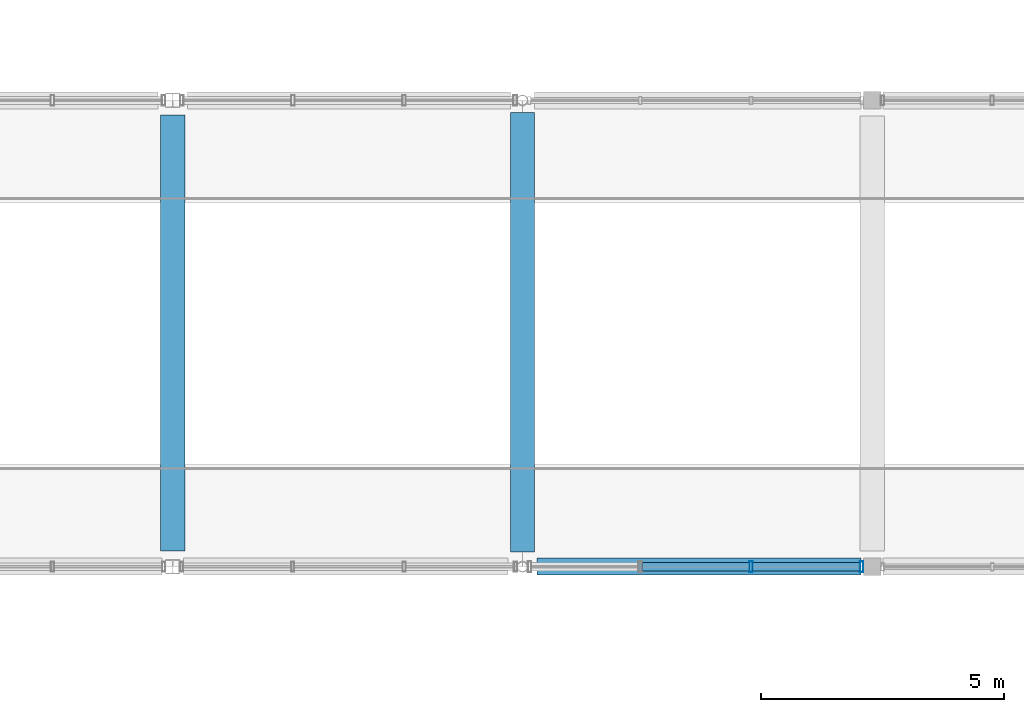
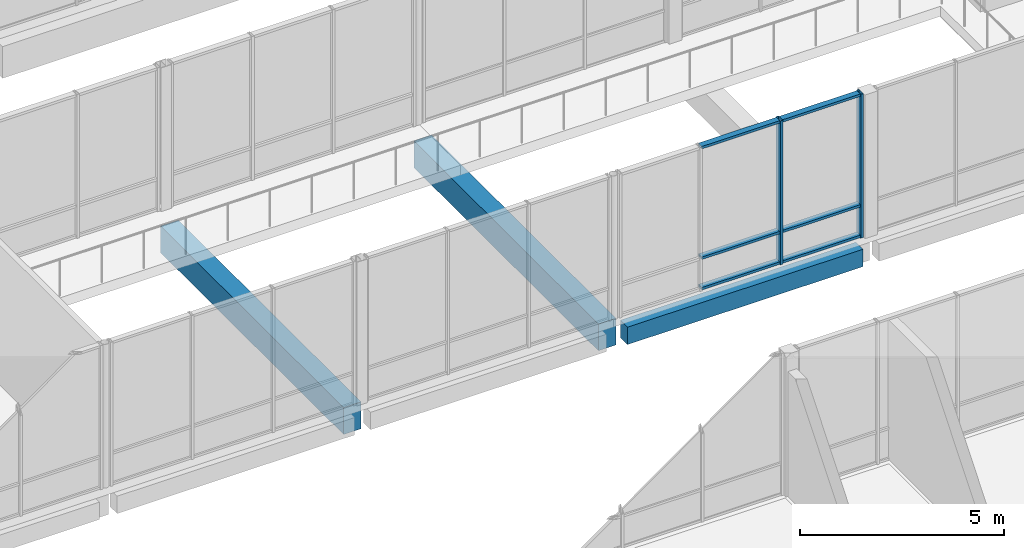
# One storey, part 37 of 146: 8 members, 3 beams, 1 element without a shape of its own.
"""IFC4 building model written with IfcOpenShell, lengths in metres."""

from ifc_helpers import new_model, si_unit, direction, frame, origin, origin_2d, place, context, subcontext, project, spatial, rectangle, hollow_rectangle, extrude, material, material_profile, profile_set, type_object, element, aggregate, save


model = new_model("IFC4")

# Units and contexts
model_context = context("Model", 3, precision=1e-05, world=origin(), true_north=direction((0.0, 1.0)))
body_context = subcontext(model_context, "Body", "Model", "MODEL_VIEW")
ifc_project = project(units=[si_unit("LENGTHUNIT", "METRE"), si_unit("AREAUNIT", "SQUARE_METRE"), si_unit("VOLUMEUNIT", "CUBIC_METRE"), si_unit("PLANEANGLEUNIT", "RADIAN"), si_unit("MASSUNIT", "GRAM", prefix="KILO")], contexts=[model_context])

# Site, building, storey
site_placement = place(None, origin())
site = spatial("IfcSite", under=ifc_project, at=site_placement, CompositionType="ELEMENT")
building_placement = place(site_placement, origin())
building = spatial("IfcBuilding", under=site, at=building_placement, Name="Hawrajan Terrace Health Centre", CompositionType="ELEMENT")
storey_placement = place(building_placement, frame((0.0, 0.0, 4.5)))
storey = spatial("IfcBuildingStorey", under=building, at=storey_placement, Name="L01", CompositionType="ELEMENT", Elevation=4.5)

# Curtain wall, members
ifc_material_1 = material(Name="Anodized bronze aluminium and low-E solar glazing", Category="aluminium")
curtain_wall_type = type_object("IfcCurtainWallType", Name="CW_Court_SeriesA2", PredefinedType="USERDEFINED", material=ifc_material_1)
curtain_wall_placement = place(storey_placement, origin())
curtain_wall = element("IfcCurtainWall", 1, at=curtain_wall_placement, inside=storey, type_object=curtain_wall_type, Name="Curtain wall CW-L01-074", ObjectType="UNITISED CURTAIN WALL", PredefinedType="USERDEFINED")
ifc_material_2 = material(Name="Anodized bronze aluminium 6063-T6", Category="aluminium")
ifc_material_profile_1 = material_profile(ifc_material_2, hollow_rectangle(XDim=0.074951171875, YDim=0.219970703125, WallThickness=0.0048828125, at=origin_2d()), Name="CW MUL 75x220")
ifc_profile_set_1 = profile_set([ifc_material_profile_1], Name="Anodized bronze aluminium 6063-T6")
member_type_1 = type_object("IfcMemberType", Name="CWMullion_75x220", PredefinedType="MULLION", material=ifc_profile_set_1)
member_1_placement = place(storey_placement, frame((52.50390625, 27.199951171875, -0.0048828125), z_axis=(0.0, 0.0, 1.0), x_axis=(1.0, 0.0, 0.0)))
member_1 = element("IfcMember", 2, at=member_1_placement, type_object=member_type_1, Name="Mullion CW-L01-074-M3", PredefinedType="MULLION", context=body_context, shape_type="SweptSolid", body=[
    extrude(hollow_rectangle(XDim=0.074951171875, YDim=0.219970703125, WallThickness=0.0048828125, at=origin_2d()), origin(), (0.0, 0.0, 1.0), 4.309814453125),
])
member_2_placement = place(storey_placement, frame((54.782470703125, 27.199951171875, -0.0048828125), z_axis=(0.0, 0.0, 1.0), x_axis=(1.0, 0.0, 0.0)))
member_2 = element("IfcMember", 3, at=member_2_placement, type_object=member_type_1, Name="Mullion CW-L01-074-M4", PredefinedType="MULLION", context=body_context, shape_type="SweptSolid", body=[
    extrude(hollow_rectangle(XDim=0.074951171875, YDim=0.219970703125, WallThickness=0.0048828125, at=origin_2d()), origin(), (0.0, 0.0, 1.0), 4.309814453125),
])
ifc_material_profile_2 = material_profile(ifc_material_2, hollow_rectangle(XDim=0.074951171875, YDim=0.169921875, WallThickness=0.00439453125, at=origin_2d()), Name="CW TRN 75x170")
ifc_profile_set_2 = profile_set([ifc_material_profile_2], Name="Anodized bronze aluminium 6063-T6")
member_type_2 = type_object("IfcMemberType", Name="CWTransom_75x170", PredefinedType="USERDEFINED", material=ifc_profile_set_2)
member_3_placement = place(storey_placement, frame((50.257080078125, 27.199951171875, 0.03759765625), z_axis=(1.0, 0.0, 0.0), x_axis=(0.0, 0.0, 1.0)))
member_3 = element("IfcMember", 4, at=member_3_placement, type_object=member_type_2, Name="Transom CW-L01-074-T2-1", ObjectType="TRANSOM", PredefinedType="USERDEFINED", context=body_context, shape_type="SweptSolid", body=[
    extrude(hollow_rectangle(XDim=0.074951171875, YDim=0.169921875, WallThickness=0.00439453125, at=origin_2d()), origin(), (0.0, 0.0, 1.0), 2.21533203125),
])
member_4_placement = place(storey_placement, frame((50.257080078125, 27.199951171875, 0.949951171875), z_axis=(1.0, 0.0, 0.0), x_axis=(0.0, 0.0, 1.0)))
member_4 = element("IfcMember", 5, at=member_4_placement, type_object=member_type_2, Name="Transom CW-L01-074-T2-2", ObjectType="TRANSOM", PredefinedType="USERDEFINED", context=body_context, shape_type="SweptSolid", body=[
    extrude(hollow_rectangle(XDim=0.074951171875, YDim=0.169921875, WallThickness=0.00439453125, at=origin_2d()), origin(), (0.0, 0.0, 1.0), 2.21533203125),
])
member_5_placement = place(storey_placement, frame((50.257080078125, 27.199951171875, 4.262451171875), z_axis=(1.0, 0.0, 0.0), x_axis=(0.0, 0.0, 1.0)))
member_5 = element("IfcMember", 6, at=member_5_placement, type_object=member_type_2, Name="Transom CW-L01-074-T2-3", ObjectType="TRANSOM", PredefinedType="USERDEFINED", context=body_context, shape_type="SweptSolid", body=[
    extrude(hollow_rectangle(XDim=0.074951171875, YDim=0.169921875, WallThickness=0.00439453125, at=origin_2d()), origin(), (0.0, 0.0, 1.0), 2.21533203125),
])
member_6_placement = place(storey_placement, frame((52.535400390625, 27.199951171875, 0.03759765625), z_axis=(1.0, 0.0, 0.0), x_axis=(0.0, 0.0, 1.0)))
member_6 = element("IfcMember", 7, at=member_6_placement, type_object=member_type_2, Name="Transom CW-L01-074-T3-1", ObjectType="TRANSOM", PredefinedType="USERDEFINED", context=body_context, shape_type="SweptSolid", body=[
    extrude(hollow_rectangle(XDim=0.074951171875, YDim=0.169921875, WallThickness=0.00439453125, at=origin_2d()), origin(), (0.0, 0.0, 1.0), 2.215576171875),
])
member_7_placement = place(storey_placement, frame((52.535400390625, 27.199951171875, 0.949951171875), z_axis=(1.0, 0.0, 0.0), x_axis=(0.0, 0.0, 1.0)))
member_7 = element("IfcMember", 8, at=member_7_placement, type_object=member_type_2, Name="Transom CW-L01-074-T3-2", ObjectType="TRANSOM", PredefinedType="USERDEFINED", context=body_context, shape_type="SweptSolid", body=[
    extrude(hollow_rectangle(XDim=0.074951171875, YDim=0.169921875, WallThickness=0.00439453125, at=origin_2d()), origin(), (0.0, 0.0, 1.0), 2.215576171875),
])
member_8_placement = place(storey_placement, frame((52.535400390625, 27.199951171875, 4.262451171875), z_axis=(1.0, 0.0, 0.0), x_axis=(0.0, 0.0, 1.0)))
member_8 = element("IfcMember", 9, at=member_8_placement, type_object=member_type_2, Name="Transom CW-L01-074-T3-3", ObjectType="TRANSOM", PredefinedType="USERDEFINED", context=body_context, shape_type="SweptSolid", body=[
    extrude(hollow_rectangle(XDim=0.074951171875, YDim=0.169921875, WallThickness=0.00439453125, at=origin_2d()), origin(), (0.0, 0.0, 1.0), 2.215576171875),
])
aggregate(curtain_wall, [member_1, member_2, member_3, member_4, member_5, member_6, member_7, member_8])

# Beams
ifc_material_3 = material(Name="Concrete C40/50", Category="concrete")
ifc_material_profile_3 = material_profile(ifc_material_3, rectangle(XDim=0.5, YDim=0.800048828125, at=origin_2d()), Name="RC BM 500x800")
ifc_profile_set_3 = profile_set([ifc_material_profile_3], Name="Concrete C40/50")
beam_type_1 = type_object("IfcBeamType", Name="RCGirder_500x800", PredefinedType="BEAM", material=ifc_profile_set_3)
beam_1_placement = place(storey_placement, frame((40.60009765625, 27.52490234375, -0.699951171875), z_axis=(0.0, 1.0, 0.0), x_axis=(-1.0, 0.0, 0.0)))
element("IfcBeam", 10, at=beam_1_placement, inside=storey, type_object=beam_type_1, Name="Beam BM-Y-L01-W-X06-4", PredefinedType="BEAM", context=body_context, shape_type="SweptSolid", body=[
    extrude(rectangle(XDim=0.5, YDim=0.800048828125, at=origin_2d()), origin(), (0.0, 0.0, 1.0), 8.97509765625),
])
beam_2_placement = place(storey_placement, frame((47.800048828125, 27.5, -0.699951171875), z_axis=(0.0, 1.0, 0.0), x_axis=(-1.0, 0.0, 0.0)))
element("IfcBeam", 11, at=beam_2_placement, inside=storey, type_object=beam_type_1, Name="Beam BM-Y-L01-W-X07-4", PredefinedType="BEAM", context=body_context, shape_type="SweptSolid", body=[
    extrude(rectangle(XDim=0.5, YDim=0.800048828125, at=origin_2d()), origin(), (0.0, 0.0, 1.0), 9.050048828125),
])
ifc_material_profile_4 = material_profile(ifc_material_3, rectangle(XDim=0.35009765625, YDim=0.52001953125, at=origin_2d()), Name="RC SP 350x520")
ifc_profile_set_4 = profile_set([ifc_material_profile_4], Name="Concrete C40/50")
beam_type_2 = type_object("IfcBeamType", Name="RCSpandrel_350x520", PredefinedType="SPANDREL", material=ifc_profile_set_4)
beam_3_placement = place(storey_placement, frame((48.10009765625, 27.199951171875, -0.56005859375), z_axis=(1.0, 0.0, 0.0), x_axis=(0.0, 1.0, 0.0)))
element("IfcBeam", 12, at=beam_3_placement, inside=storey, type_object=beam_type_2, Name="Beam BM-X-L01-W-07-Y4", PredefinedType="SPANDREL", context=body_context, shape_type="SweptSolid", body=[
    extrude(rectangle(XDim=0.35009765625, YDim=0.52001953125, at=origin_2d()), origin(), (0.0, 0.0, 1.0), 6.6748046875),
])

save(model, "model.ifc")
